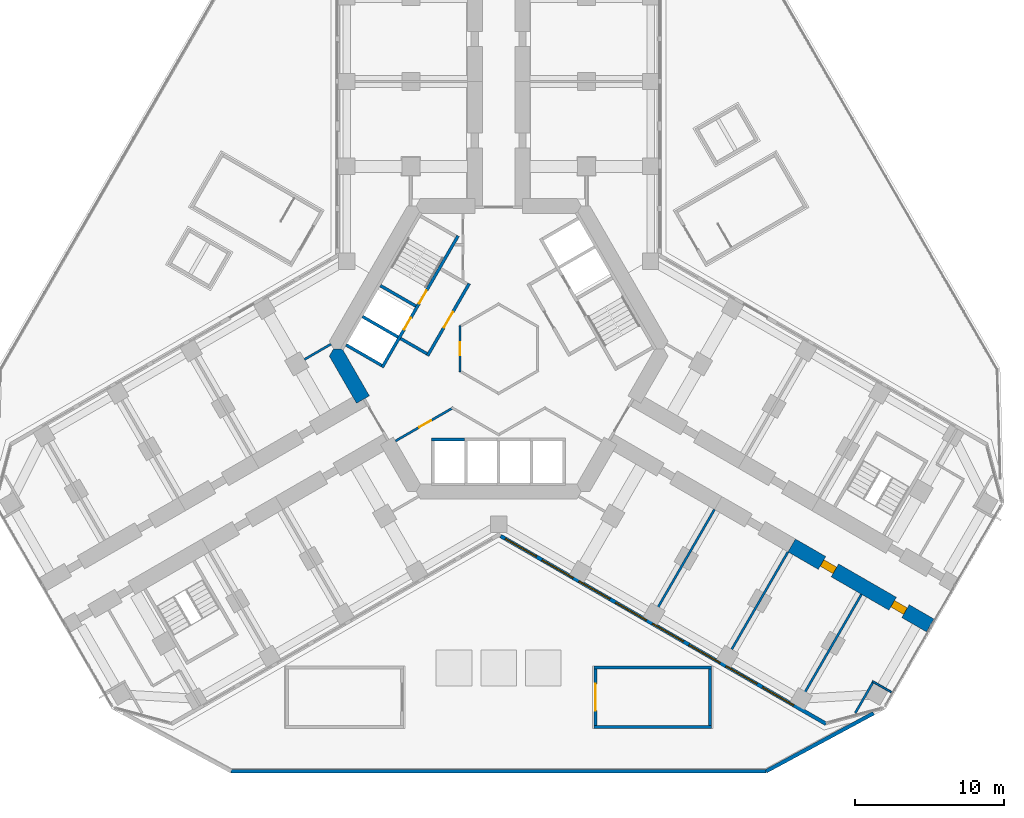
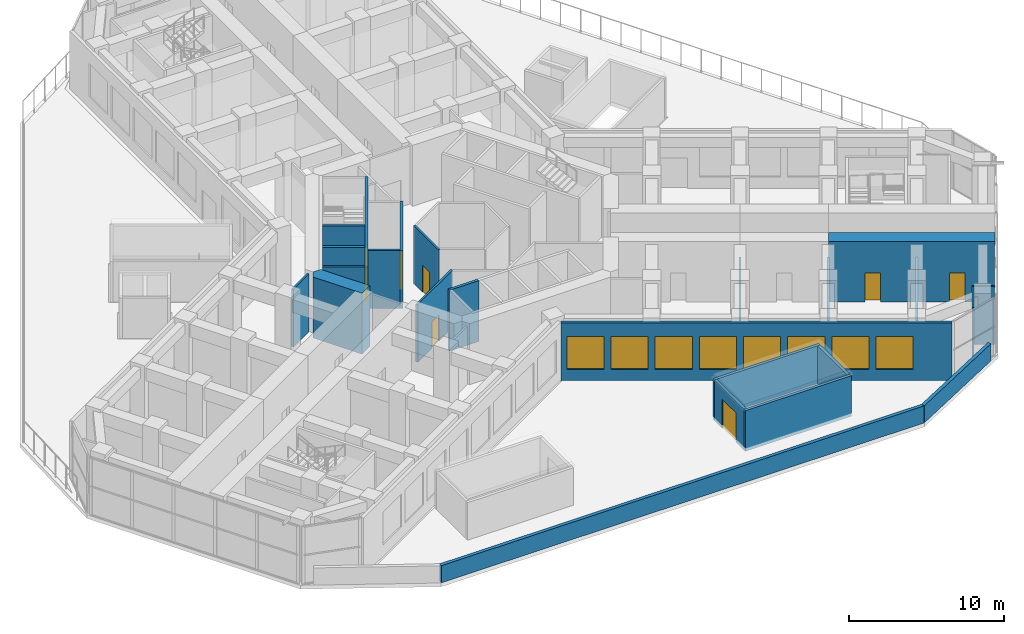
# One storey, part 11 of 18: 24 walls, 8 doors, 8 windows, 16 openings.
"""IFC4 building model written with IfcOpenShell, lengths in metres."""

from ifc_helpers import new_model, si_unit, direction, frame, frame_2d, origin, place, context, subcontext, project, spatial, polyline, rectangle, outline, extrude, material, layer, layer_set, type_object, element, fill, save


model = new_model("IFC4")

# Units and contexts
model_context = context("Model", 3, precision=1e-05, world=origin(), true_north=direction((0.0, 1.0)))
body_context = subcontext(model_context, "Body", "Model", "MODEL_VIEW")
ifc_project = project(units=[si_unit("LENGTHUNIT", "METRE"), si_unit("AREAUNIT", "SQUARE_METRE"), si_unit("VOLUMEUNIT", "CUBIC_METRE"), si_unit("PLANEANGLEUNIT", "RADIAN"), si_unit("MASSUNIT", "GRAM", prefix="KILO")], contexts=[model_context])

# Site, building, storey
site_placement = place(None, origin())
site = spatial("IfcSite", under=ifc_project, at=site_placement, CompositionType="ELEMENT")
building_placement = place(site_placement, origin())
building = spatial("IfcBuilding", under=site, at=building_placement, Name="Kosmar Iwan School Tower", CompositionType="ELEMENT")
storey_placement = place(building_placement, frame((0.0, 0.0, 20.39990234375)))
storey = spatial("IfcBuildingStorey", under=building, at=storey_placement, Name="L04", CompositionType="ELEMENT", Elevation=20.39990234375)

# Wall, opening, door
ifc_material_1 = material(Name="Gypsum board on steel studs, fire-rated", Category="steel")
ifc_layer_1 = layer(ifc_material_1, 0.14990234375)
ifc_layer_set_1 = layer_set([ifc_layer_1], Name="Core room partition 150")
wall_type_1 = type_object("IfcWallType", Name="Core room partition 150", PredefinedType="PARTITIONING", material=ifc_layer_set_1)
wall_1_placement = place(storey_placement, frame((-2.60009765625, -1.576171875, 0.0), z_axis=(0.0, 0.0, 1.0), x_axis=(0.0, 1.0, 0.0)))
wall_1 = element("IfcWall", 1, at=wall_1_placement, inside=storey, type_object=wall_type_1, Name="Core room partition L04-CW6", PredefinedType="PARTITIONING", context=body_context, shape_type="SweptSolid", body=[
    extrude(rectangle(XDim=3.15234375, YDim=0.14990234375, at=frame_2d((1.576171875, 0.0))), origin(), (0.0, 0.0, 1.0), 4.550048828125),
])
opening_1_placement = place(wall_1_placement, frame((1.1259765625, 0.0, 0.0)))
opening_1 = element("IfcOpeningElement", 2, at=opening_1_placement, cuts=wall_1, Name="Opening D14", PredefinedType="OPENING", context=body_context, shape_type="SweptSolid", body=[
    extrude(rectangle(XDim=0.89990234375, YDim=2.10009765625, at=frame_2d((0.449951171875, 1.050048828125))), frame((0.0, 0.0869140625, 0.0), z_axis=(0.0, -1.0, 0.0), x_axis=(1.0, 0.0, 0.0)), (0.0, 0.0, 1.0), 0.173828125),
])
ifc_material_2 = material(Name="Timber fire door in steel frame", Category="steel")
door_type_1 = type_object("IfcDoorType", Name="Core room door 900x2100", OperationType="SINGLE_SWING_LEFT", PredefinedType="DOOR", material=ifc_material_2)
door_1_placement = place(opening_1_placement, origin())
door_1 = element("IfcDoor", 3, at=door_1_placement, inside=storey, type_object=door_type_1, Name="School store door L04 3", OperationType="SINGLE_SWING_RIGHT", OverallHeight=2.10009765625, OverallWidth=0.89990234375, PredefinedType="DOOR", context=body_context, shape_type="SweptSolid", body=[
    extrude(rectangle(XDim=0.89990234375, YDim=2.10009765625, at=frame_2d((0.449951171875, 1.050048828125))), frame((0.0, 0.02490234375, 0.0), z_axis=(0.0, -1.0, 0.0), x_axis=(1.0, 0.0, 0.0)), (0.0, 0.0, 1.0), 0.050048828125),
])
fill(opening_1, door_1)

wall_2_placement = place(storey_placement, frame((-6.930908203125, -6.195556640625, 0.0), z_axis=(0.0, 0.0, 1.0), x_axis=(0.866020192391, 0.500009026289, 0.0)))
wall_2 = element("IfcWall", 4, at=wall_2_placement, inside=storey, type_object=wall_type_1, Name="Core room partition L04-CW10", PredefinedType="PARTITIONING", context=body_context, shape_type="SweptSolid", body=[
    extrude(rectangle(XDim=4.49853515625, YDim=0.14990234375, at=frame_2d((2.249267578125, 0.0))), origin(), (0.0, 0.0, 1.0), 4.550048828125),
])
opening_2_placement = place(wall_2_placement, frame((1.842041015625, 0.0, 0.0)))
opening_2 = element("IfcOpeningElement", 5, at=opening_2_placement, cuts=wall_2, Name="Opening D14", PredefinedType="OPENING", context=body_context, shape_type="SweptSolid", body=[
    extrude(rectangle(XDim=0.89990234375, YDim=2.10009765625, at=frame_2d((0.449951171875, 1.050048828125))), frame((0.0, 0.0869140625, 0.0), z_axis=(0.0, -1.0, 0.0), x_axis=(1.0, 0.0, 0.0)), (0.0, 0.0, 1.0), 0.173828125),
])
door_2_placement = place(opening_2_placement, origin())
door_2 = element("IfcDoor", 6, at=door_2_placement, inside=storey, type_object=door_type_1, Name="Parents' meeting room door L04 4", OperationType="SINGLE_SWING_RIGHT", OverallHeight=2.10009765625, OverallWidth=0.89990234375, PredefinedType="DOOR", context=body_context, shape_type="SweptSolid", body=[
    extrude(rectangle(XDim=0.89990234375, YDim=2.10009765625, at=frame_2d((0.449951171875, 1.050048828125))), frame((0.0, 0.02490234375, 0.0), z_axis=(0.0, -1.0, 0.0), x_axis=(1.0, 0.0, 0.0)), (0.0, 0.0, 1.0), 0.050048828125),
])
fill(opening_2, door_2)

# Wall
ifc_material_3 = material(Name="Concrete C50/60", Category="concrete")
ifc_layer_2 = layer(ifc_material_3, 1.0)
ifc_layer_set_2 = layer_set([ifc_layer_2], Name="Core wall 1000")
wall_type_2 = type_object("IfcWallType", Name="Core wall 1000", PredefinedType="SHEAR", material=ifc_layer_set_2)
wall_3_placement = place(storey_placement, origin())
element("IfcWall", 7, at=wall_3_placement, inside=storey, type_object=wall_type_2, Name="Core wall F210a", PredefinedType="SHEAR", context=body_context, shape_type="SweptSolid", body=[
    extrude(outline(polyline([(-9.546875, -3.664306640625), (-8.680908203125, -3.164306640625), (-10.5078125, 0.0), (-11.085205078125, 0.0), (-11.373779296875, -0.5), (-9.546875, -3.664306640625)])), origin(), (0.0, 0.0, 1.0), 4.800048828125),
])

# Wall, openings, doors
ifc_material_4 = material(Name="Concrete C50/60", Category="concrete")
ifc_layer_3 = layer(ifc_material_4, 1.0)
ifc_layer_set_3 = layer_set([ifc_layer_3], Name="Corridor buttress wall 1000")
wall_type_3 = type_object("IfcWallType", Name="Corridor buttress wall 1000", PredefinedType="SHEAR", material=ifc_layer_set_3)
wall_4_placement = place(storey_placement, frame((19.681396484375, -13.210693359375, 0.0), z_axis=(0.0, 0.0, 1.0), x_axis=(0.866028186671, -0.499995179869, 0.0)))
wall_4 = element("IfcWall", 8, at=wall_4_placement, inside=storey, type_object=wall_type_3, Name="Corridor wall CR bay 3", PredefinedType="SHEAR", context=body_context, shape_type="SweptSolid", body=[
    extrude(rectangle(XDim=10.7451171875, YDim=1.0, at=frame_2d((5.37255859375, 0.0))), origin(), (0.0, 0.0, 1.0), 4.800048828125),
])
opening_3_placement = place(wall_4_placement, frame((2.35009765625, 0.0, 0.0)))
opening_3 = element("IfcOpeningElement", 9, at=opening_3_placement, cuts=wall_4, Name="Opening D4", PredefinedType="OPENING", context=body_context, shape_type="SweptSolid", body=[
    extrude(rectangle(XDim=1.0, YDim=2.300048828125, at=frame_2d((0.5, 1.14990234375))), frame((0.0, 0.511962890625, 0.0), z_axis=(0.0, -1.0, 0.0), x_axis=(1.0, 0.0, 0.0)), (0.0, 0.0, 1.0), 1.02392578125),
])
opening_4_placement = place(wall_4_placement, frame((7.824951171875, 0.0, 0.0)))
opening_4 = element("IfcOpeningElement", 10, at=opening_4_placement, cuts=wall_4, Name="Opening D4", PredefinedType="OPENING", context=body_context, shape_type="SweptSolid", body=[
    extrude(rectangle(XDim=1.0, YDim=2.300048828125, at=frame_2d((0.5, 1.14990234375))), frame((0.0, 0.511962890625, 0.0), z_axis=(0.0, -1.0, 0.0), x_axis=(1.0, 0.0, 0.0)), (0.0, 0.0, 1.0), 1.02392578125),
])
ifc_material_5 = material(Name="Timber fire door with vision panel", Category="wood")
door_type_2 = type_object("IfcDoorType", Name="Classroom door 1000x2300", OperationType="SINGLE_SWING_LEFT", PredefinedType="DOOR", material=ifc_material_5)
door_3_placement = place(opening_3_placement, origin())
door_3 = element("IfcDoor", 11, at=door_3_placement, inside=storey, type_object=door_type_2, Name="Staff room CR door L04-CR3", OperationType="SINGLE_SWING_LEFT", OverallHeight=2.300048828125, OverallWidth=1.0, PredefinedType="DOOR", context=body_context, shape_type="SweptSolid", body=[
    extrude(rectangle(XDim=1.0, YDim=2.300048828125, at=frame_2d((0.5, 1.14990234375))), frame((0.0, 0.25, 0.0), z_axis=(0.0, -1.0, 0.0), x_axis=(1.0, 0.0, 0.0)), (0.0, 0.0, 1.0), 0.5),
])
fill(opening_3, door_3)
door_4_placement = place(opening_4_placement, origin())
door_4 = element("IfcDoor", 12, at=door_4_placement, inside=storey, type_object=door_type_2, Name="Toilets door L04-CR4", OperationType="SINGLE_SWING_RIGHT", OverallHeight=2.300048828125, OverallWidth=1.0, PredefinedType="DOOR", context=body_context, shape_type="SweptSolid", body=[
    extrude(rectangle(XDim=1.0, YDim=2.300048828125, at=frame_2d((0.5, 1.14990234375))), frame((0.0, 0.25, 0.0), z_axis=(0.0, -1.0, 0.0), x_axis=(1.0, 0.0, 0.0)), (0.0, 0.0, 1.0), 0.5),
])
fill(opening_4, door_4)

# Wall
ifc_material_6 = material(Name="Gypsum board on steel studs", Category="steel")
ifc_layer_4 = layer(ifc_material_6, 0.1201171875)
ifc_layer_set_4 = layer_set([ifc_layer_4], Name="Dwelling partition 120")
wall_type_4 = type_object("IfcWallType", Name="Dwelling partition 120", PredefinedType="PARTITIONING", material=ifc_layer_set_4)
wall_5_placement = place(storey_placement, frame((25.09716796875, -22.330322265625, 0.0), z_axis=(0.0, 0.0, 1.0), x_axis=(0.866003374288, -0.500038154266, 0.0)))
element("IfcWall", 13, at=wall_5_placement, inside=storey, type_object=wall_type_4, Name="Partition L04-CR-DL", PredefinedType="PARTITIONING", context=body_context, shape_type="SweptSolid", body=[
    extrude(rectangle(XDim=1.4951171875, YDim=0.1201171875, at=frame_2d((0.74755859375, 0.0))), origin(), (0.0, 0.0, 1.0), 4.550048828125),
])

# Wall, openings, windows
ifc_material_7 = material(Name="Black aluminium rainscreen on insulated framing", Category="aluminium")
ifc_layer_5 = layer(ifc_material_7, 0.25)
ifc_layer_set_5 = layer_set([ifc_layer_5], Name="External wall rainscreen 250")
wall_type_5 = type_object("IfcWallType", Name="External wall rainscreen 250", PredefinedType="SOLIDWALL", material=ifc_layer_set_5)
wall_6_placement = place(storey_placement, frame((0.137939453125, -12.5791015625, 0.0), z_axis=(0.0, 0.0, 1.0), x_axis=(0.866023775649, -0.500002820003, 0.0)))
wall_6 = element("IfcWall", 14, at=wall_6_placement, inside=storey, type_object=wall_type_5, Name="External wall CR L04", PredefinedType="SOLIDWALL", context=body_context, shape_type="SweptSolid", body=[
    extrude(rectangle(XDim=25.226318359375, YDim=0.25, at=frame_2d((12.61328125, 0.0))), origin(), (0.0, 0.0, 1.0), 4.550048828125),
])
opening_5_placement = place(wall_6_placement, frame((0.365966796875, 0.0, 0.89990234375)))
opening_5 = element("IfcOpeningElement", 15, at=opening_5_placement, cuts=wall_6, Name="Opening W2", PredefinedType="OPENING", context=body_context, shape_type="SweptSolid", body=[
    extrude(rectangle(XDim=2.39990234375, YDim=2.60009765625, at=frame_2d((1.199951171875, 1.300048828125))), frame((0.0, 0.136962890625, 0.0), z_axis=(0.0, -1.0, 0.0), x_axis=(1.0, 0.0, 0.0)), (0.0, 0.0, 1.0), 0.27392578125),
])
opening_6_placement = place(wall_6_placement, frame((3.216064453125, 0.0, 0.89990234375)))
opening_6 = element("IfcOpeningElement", 16, at=opening_6_placement, cuts=wall_6, Name="Opening W2", PredefinedType="OPENING", context=body_context, shape_type="SweptSolid", body=[
    extrude(rectangle(XDim=2.39990234375, YDim=2.60009765625, at=frame_2d((1.199951171875, 1.300048828125))), frame((0.0, 0.136962890625, 0.0), z_axis=(0.0, -1.0, 0.0), x_axis=(1.0, 0.0, 0.0)), (0.0, 0.0, 1.0), 0.27392578125),
])
opening_7_placement = place(wall_6_placement, frame((6.06591796875, 0.0, 0.89990234375)))
opening_7 = element("IfcOpeningElement", 17, at=opening_7_placement, cuts=wall_6, Name="Opening W2", PredefinedType="OPENING", context=body_context, shape_type="SweptSolid", body=[
    extrude(rectangle(XDim=2.39990234375, YDim=2.60009765625, at=frame_2d((1.199951171875, 1.300048828125))), frame((0.0, 0.136962890625, 0.0), z_axis=(0.0, -1.0, 0.0), x_axis=(1.0, 0.0, 0.0)), (0.0, 0.0, 1.0), 0.27392578125),
])
opening_8_placement = place(wall_6_placement, frame((8.916015625, 0.0, 0.89990234375)))
opening_8 = element("IfcOpeningElement", 18, at=opening_8_placement, cuts=wall_6, Name="Opening W2", PredefinedType="OPENING", context=body_context, shape_type="SweptSolid", body=[
    extrude(rectangle(XDim=2.39990234375, YDim=2.60009765625, at=frame_2d((1.199951171875, 1.300048828125))), frame((0.0, 0.136962890625, 0.0), z_axis=(0.0, -1.0, 0.0), x_axis=(1.0, 0.0, 0.0)), (0.0, 0.0, 1.0), 0.27392578125),
])
opening_9_placement = place(wall_6_placement, frame((11.76611328125, 0.0, 0.89990234375)))
opening_9 = element("IfcOpeningElement", 19, at=opening_9_placement, cuts=wall_6, Name="Opening W2", PredefinedType="OPENING", context=body_context, shape_type="SweptSolid", body=[
    extrude(rectangle(XDim=2.39990234375, YDim=2.60009765625, at=frame_2d((1.199951171875, 1.300048828125))), frame((0.0, 0.136962890625, 0.0), z_axis=(0.0, -1.0, 0.0), x_axis=(1.0, 0.0, 0.0)), (0.0, 0.0, 1.0), 0.27392578125),
])
opening_10_placement = place(wall_6_placement, frame((14.615966796875, 0.0, 0.89990234375)))
opening_10 = element("IfcOpeningElement", 20, at=opening_10_placement, cuts=wall_6, Name="Opening W2", PredefinedType="OPENING", context=body_context, shape_type="SweptSolid", body=[
    extrude(rectangle(XDim=2.39990234375, YDim=2.60009765625, at=frame_2d((1.199951171875, 1.300048828125))), frame((0.0, 0.136962890625, 0.0), z_axis=(0.0, -1.0, 0.0), x_axis=(1.0, 0.0, 0.0)), (0.0, 0.0, 1.0), 0.27392578125),
])
opening_11_placement = place(wall_6_placement, frame((17.466064453125, 0.0, 0.89990234375)))
opening_11 = element("IfcOpeningElement", 21, at=opening_11_placement, cuts=wall_6, Name="Opening W2", PredefinedType="OPENING", context=body_context, shape_type="SweptSolid", body=[
    extrude(rectangle(XDim=2.39990234375, YDim=2.60009765625, at=frame_2d((1.199951171875, 1.300048828125))), frame((0.0, 0.136962890625, 0.0), z_axis=(0.0, -1.0, 0.0), x_axis=(1.0, 0.0, 0.0)), (0.0, 0.0, 1.0), 0.27392578125),
])
opening_12_placement = place(wall_6_placement, frame((20.31591796875, 0.0, 0.89990234375)))
opening_12 = element("IfcOpeningElement", 22, at=opening_12_placement, cuts=wall_6, Name="Opening W2", PredefinedType="OPENING", context=body_context, shape_type="SweptSolid", body=[
    extrude(rectangle(XDim=2.39990234375, YDim=2.60009765625, at=frame_2d((1.199951171875, 1.300048828125))), frame((0.0, 0.136962890625, 0.0), z_axis=(0.0, -1.0, 0.0), x_axis=(1.0, 0.0, 0.0)), (0.0, 0.0, 1.0), 0.27392578125),
])
ifc_material_8 = material(Name="Black aluminium frame with dark triple glazing", Category="aluminium")
window_type = type_object("IfcWindowType", Name="Window 2400x2600", PartitioningType="SINGLE_PANEL", PredefinedType="WINDOW", material=ifc_material_8)
window_1_placement = place(opening_5_placement, origin())
window_1 = element("IfcWindow", 23, at=window_1_placement, inside=storey, type_object=window_type, Name="Window CR L04 -1", OverallHeight=2.60009765625, OverallWidth=2.39990234375, PartitioningType="SINGLE_PANEL", PredefinedType="WINDOW", context=body_context, shape_type="SweptSolid", body=[
    extrude(rectangle(XDim=2.39990234375, YDim=2.60009765625, at=frame_2d((1.199951171875, 1.300048828125))), frame((0.0, 0.030029296875, 0.0), z_axis=(0.0, -1.0, 0.0), x_axis=(1.0, 0.0, 0.0)), (0.0, 0.0, 1.0), 0.06005859375),
])
fill(opening_5, window_1)
window_2_placement = place(opening_6_placement, origin())
window_2 = element("IfcWindow", 24, at=window_2_placement, inside=storey, type_object=window_type, Name="Window CR L04 0", OverallHeight=2.60009765625, OverallWidth=2.39990234375, PartitioningType="SINGLE_PANEL", PredefinedType="WINDOW", context=body_context, shape_type="SweptSolid", body=[
    extrude(rectangle(XDim=2.39990234375, YDim=2.60009765625, at=frame_2d((1.199951171875, 1.300048828125))), frame((0.0, 0.030029296875, 0.0), z_axis=(0.0, -1.0, 0.0), x_axis=(1.0, 0.0, 0.0)), (0.0, 0.0, 1.0), 0.06005859375),
])
fill(opening_6, window_2)
window_3_placement = place(opening_7_placement, origin())
window_3 = element("IfcWindow", 25, at=window_3_placement, inside=storey, type_object=window_type, Name="Window CR L04 1", OverallHeight=2.60009765625, OverallWidth=2.39990234375, PartitioningType="SINGLE_PANEL", PredefinedType="WINDOW", context=body_context, shape_type="SweptSolid", body=[
    extrude(rectangle(XDim=2.39990234375, YDim=2.60009765625, at=frame_2d((1.199951171875, 1.300048828125))), frame((0.0, 0.030029296875, 0.0), z_axis=(0.0, -1.0, 0.0), x_axis=(1.0, 0.0, 0.0)), (0.0, 0.0, 1.0), 0.06005859375),
])
fill(opening_7, window_3)
window_4_placement = place(opening_8_placement, origin())
window_4 = element("IfcWindow", 26, at=window_4_placement, inside=storey, type_object=window_type, Name="Window CR L04 2", OverallHeight=2.60009765625, OverallWidth=2.39990234375, PartitioningType="SINGLE_PANEL", PredefinedType="WINDOW", context=body_context, shape_type="SweptSolid", body=[
    extrude(rectangle(XDim=2.39990234375, YDim=2.60009765625, at=frame_2d((1.199951171875, 1.300048828125))), frame((0.0, 0.030029296875, 0.0), z_axis=(0.0, -1.0, 0.0), x_axis=(1.0, 0.0, 0.0)), (0.0, 0.0, 1.0), 0.06005859375),
])
fill(opening_8, window_4)
window_5_placement = place(opening_9_placement, origin())
window_5 = element("IfcWindow", 27, at=window_5_placement, inside=storey, type_object=window_type, Name="Window CR L04 3", OverallHeight=2.60009765625, OverallWidth=2.39990234375, PartitioningType="SINGLE_PANEL", PredefinedType="WINDOW", context=body_context, shape_type="SweptSolid", body=[
    extrude(rectangle(XDim=2.39990234375, YDim=2.60009765625, at=frame_2d((1.199951171875, 1.300048828125))), frame((0.0, 0.030029296875, 0.0), z_axis=(0.0, -1.0, 0.0), x_axis=(1.0, 0.0, 0.0)), (0.0, 0.0, 1.0), 0.06005859375),
])
fill(opening_9, window_5)
window_6_placement = place(opening_10_placement, origin())
window_6 = element("IfcWindow", 28, at=window_6_placement, inside=storey, type_object=window_type, Name="Window CR L04 4", OverallHeight=2.60009765625, OverallWidth=2.39990234375, PartitioningType="SINGLE_PANEL", PredefinedType="WINDOW", context=body_context, shape_type="SweptSolid", body=[
    extrude(rectangle(XDim=2.39990234375, YDim=2.60009765625, at=frame_2d((1.199951171875, 1.300048828125))), frame((0.0, 0.030029296875, 0.0), z_axis=(0.0, -1.0, 0.0), x_axis=(1.0, 0.0, 0.0)), (0.0, 0.0, 1.0), 0.06005859375),
])
fill(opening_10, window_6)
window_7_placement = place(opening_11_placement, origin())
window_7 = element("IfcWindow", 29, at=window_7_placement, inside=storey, type_object=window_type, Name="Window CR L04 5", OverallHeight=2.60009765625, OverallWidth=2.39990234375, PartitioningType="SINGLE_PANEL", PredefinedType="WINDOW", context=body_context, shape_type="SweptSolid", body=[
    extrude(rectangle(XDim=2.39990234375, YDim=2.60009765625, at=frame_2d((1.199951171875, 1.300048828125))), frame((0.0, 0.030029296875, 0.0), z_axis=(0.0, -1.0, 0.0), x_axis=(1.0, 0.0, 0.0)), (0.0, 0.0, 1.0), 0.06005859375),
])
fill(opening_11, window_7)
window_8_placement = place(opening_12_placement, origin())
window_8 = element("IfcWindow", 30, at=window_8_placement, inside=storey, type_object=window_type, Name="Window CR L04 6", OverallHeight=2.60009765625, OverallWidth=2.39990234375, PartitioningType="SINGLE_PANEL", PredefinedType="WINDOW", context=body_context, shape_type="SweptSolid", body=[
    extrude(rectangle(XDim=2.39990234375, YDim=2.60009765625, at=frame_2d((1.199951171875, 1.300048828125))), frame((0.0, 0.030029296875, 0.0), z_axis=(0.0, -1.0, 0.0), x_axis=(1.0, 0.0, 0.0)), (0.0, 0.0, 1.0), 0.06005859375),
])
fill(opening_12, window_8)

# Wall, opening, door
ifc_material_9 = material(Name="Concrete block masonry", Category="masonry")
ifc_layer_6 = layer(ifc_material_9, 0.199951171875)
ifc_layer_set_6 = layer_set([ifc_layer_6], Name="Fire lobby wall 200")
wall_type_6 = type_object("IfcWallType", Name="Fire lobby wall 200", PredefinedType="PARTITIONING", material=ifc_layer_set_6)
wall_7_placement = place(storey_placement, frame((-1.9775390625, 4.374755859375, 0.0), z_axis=(0.0, 0.0, 1.0), x_axis=(-0.500016814911, -0.866015695474, 0.0)))
wall_7 = element("IfcWall", 31, at=wall_7_placement, inside=storey, type_object=wall_type_6, Name="Firefighting lobby wall ST2", PredefinedType="PARTITIONING", context=body_context, shape_type="SweptSolid", body=[
    extrude(rectangle(XDim=5.599853515625, YDim=0.199951171875, at=frame_2d((2.7998046875, 0.0))), origin(), (0.0, 0.0, 1.0), 4.550048828125),
])
opening_13_placement = place(wall_7_placement, frame((2.199951171875, 0.0, 0.0)))
opening_13 = element("IfcOpeningElement", 32, at=opening_13_placement, cuts=wall_7, Name="Opening D7", PredefinedType="OPENING", context=body_context, shape_type="SweptSolid", body=[
    extrude(rectangle(XDim=1.199951171875, YDim=2.10009765625, at=frame_2d((0.60009765625, 1.050048828125))), frame((0.0, 0.112060546875, 0.0), z_axis=(0.0, -1.0, 0.0), x_axis=(1.0, 0.0, 0.0)), (0.0, 0.0, 1.0), 0.223876953125),
])
ifc_material_10 = material(Name="Steel fire door", Category="steel")
door_type_3 = type_object("IfcDoorType", Name="Fire lobby door 1200x2100", OperationType="SINGLE_SWING_LEFT", PredefinedType="DOOR", material=ifc_material_10)
door_5_placement = place(opening_13_placement, frame((1.199951171875, 0.0, 0.0), z_axis=(0.0, 0.0, 1.0), x_axis=(-1.0, 0.0, 0.0)))
door_5 = element("IfcDoor", 33, at=door_5_placement, inside=storey, type_object=door_type_3, Name="Firefighting lobby door ST2 L04", OperationType="SINGLE_SWING_RIGHT", OverallHeight=2.10009765625, OverallWidth=1.199951171875, PredefinedType="DOOR", context=body_context, shape_type="SweptSolid", body=[
    extrude(rectangle(XDim=1.199951171875, YDim=2.10009765625, at=frame_2d((0.60009765625, 1.050048828125))), frame((0.0, 0.02490234375, 0.0), z_axis=(0.0, -1.0, 0.0), x_axis=(1.0, 0.0, 0.0)), (0.0, 0.0, 1.0), 0.050048828125),
])
fill(opening_13, door_5)

# Wall
wall_8_placement = place(storey_placement, frame((-4.814208984375, -0.33837890625, 0.0), z_axis=(0.0, 0.0, 1.0), x_axis=(-0.865969381856, 0.500097020274, 0.0)))
element("IfcWall", 34, at=wall_8_placement, inside=storey, type_object=wall_type_6, Name="Firefighting lobby wall ST2", PredefinedType="PARTITIONING", context=body_context, shape_type="SweptSolid", body=[
    extrude(rectangle(XDim=2.0498046875, YDim=0.199951171875, at=frame_2d((1.02490234375, 0.0))), origin(), (0.0, 0.0, 1.0), 4.550048828125),
])

# Wall, openings, doors
ifc_material_11 = material(Name="Concrete C50/60", Category="concrete")
ifc_layer_7 = layer(ifc_material_11, 0.199951171875)
ifc_layer_set_7 = layer_set([ifc_layer_7], Name="Lift shaft wall 200")
wall_type_7 = type_object("IfcWallType", Name="Lift shaft wall 200", PredefinedType="SHEAR", material=ifc_layer_set_7)
wall_9_placement = place(storey_placement, frame((-2.72607421875, 7.578369140625, 0.0), z_axis=(0.0, 0.0, 1.0), x_axis=(-0.500005610874, -0.86602216432, 0.0)))
wall_9 = element("IfcWall", 35, at=wall_9_placement, inside=storey, type_object=wall_type_7, Name="Lift and stair front wall AB", PredefinedType="SHEAR", context=body_context, shape_type="SweptSolid", body=[
    extrude(rectangle(XDim=10.2001953125, YDim=0.199951171875, at=frame_2d((5.10009765625, 0.0))), origin(), (0.0, 0.0, 1.0), 4.800048828125),
])
opening_14_placement = place(wall_9_placement, frame((6.35009765625, 0.0, 0.0)))
opening_14 = element("IfcOpeningElement", 36, at=opening_14_placement, cuts=wall_9, Name="Opening LD2", PredefinedType="OPENING", context=body_context, shape_type="SweptSolid", body=[
    extrude(rectangle(XDim=0.89990234375, YDim=2.10009765625, at=frame_2d((0.449951171875, 1.050048828125))), frame((0.0, 0.112060546875, 0.0), z_axis=(0.0, -1.0, 0.0), x_axis=(1.0, 0.0, 0.0)), (0.0, 0.0, 1.0), 0.223876953125),
])
opening_15_placement = place(wall_9_placement, frame((4.22998046875, 0.0, 0.0)))
opening_15 = element("IfcOpeningElement", 37, at=opening_15_placement, cuts=wall_9, Name="Opening D6", PredefinedType="OPENING", context=body_context, shape_type="SweptSolid", body=[
    extrude(rectangle(XDim=1.0, YDim=2.10009765625, at=frame_2d((0.5, 1.050048828125))), frame((0.0, 0.112060546875, 0.0), z_axis=(0.0, -1.0, 0.0), x_axis=(1.0, 0.0, 0.0)), (0.0, 0.0, 1.0), 0.223876953125),
])
ifc_material_12 = material(Name="Stainless steel sliding lift door", Category="steel")
door_type_4 = type_object("IfcDoorType", Name="Firefighting lift landing door 900x2100", OperationType="SLIDING_TO_LEFT", PredefinedType="DOOR", material=ifc_material_12)
door_6_placement = place(opening_14_placement, origin())
door_6 = element("IfcDoor", 38, at=door_6_placement, inside=storey, type_object=door_type_4, Name="Lift FF2 landing door L04", OperationType="SLIDING_TO_LEFT", OverallHeight=2.10009765625, OverallWidth=0.89990234375, PredefinedType="DOOR", context=body_context, shape_type="SweptSolid", body=[
    extrude(rectangle(XDim=0.89990234375, YDim=2.10009765625, at=frame_2d((0.449951171875, 1.050048828125))), frame((0.0, 0.02490234375, 0.0), z_axis=(0.0, -1.0, 0.0), x_axis=(1.0, 0.0, 0.0)), (0.0, 0.0, 1.0), 0.050048828125),
])
fill(opening_14, door_6)
ifc_material_13 = material(Name="Steel fire door", Category="steel")
door_type_5 = type_object("IfcDoorType", Name="Stair door 1000x2100", OperationType="SINGLE_SWING_LEFT", PredefinedType="DOOR", material=ifc_material_13)
door_7_placement = place(opening_15_placement, origin())
door_7 = element("IfcDoor", 39, at=door_7_placement, inside=storey, type_object=door_type_5, Name="Stair ST2 door L04", OperationType="SINGLE_SWING_LEFT", OverallHeight=2.10009765625, OverallWidth=1.0, PredefinedType="DOOR", context=body_context, shape_type="SweptSolid", body=[
    extrude(rectangle(XDim=1.0, YDim=2.10009765625, at=frame_2d((0.5, 1.050048828125))), frame((0.0, 0.02490234375, 0.0), z_axis=(0.0, -1.0, 0.0), x_axis=(1.0, 0.0, 0.0)), (0.0, 0.0, 1.0), 0.050048828125),
])
fill(opening_15, door_7)

# Walls
for number, where, z_axis, x_axis, name in (
    (40, (-6.7626953125, 0.78662109375, 0.0), (0.0, 0.0, 1.0), (-0.866027397988, 0.499996545922, 0.0), "Lift shaft wall AB 1"),
    (41, (-7.862548828125, -1.118408203125, 0.0), (0.0, 0.0, 1.0), (-0.866027397988, 0.499996545922, 0.0), "Lift shaft wall AB 2"),
):
    element("IfcWall", number, at=place(storey_placement, frame(where, z_axis=z_axis, x_axis=x_axis)), inside=storey, type_object=wall_type_7, Name=name, PredefinedType="SHEAR", context=body_context, shape_type="SweptSolid", body=[
        extrude(rectangle(XDim=2.75, YDim=0.199951171875, at=frame_2d((1.375, 0.0))), origin(), (0.0, 0.0, 1.0), 4.800048828125),
    ])
wall_10_placement = place(storey_placement, frame((-4.5, -6.10009765625, 0.0), z_axis=(0.0, 0.0, 1.0), x_axis=(1.0, 0.0, 0.0)))
element("IfcWall", 42, at=wall_10_placement, inside=storey, type_object=wall_type_7, Name="Lift and stair front wall BC", PredefinedType="SHEAR", context=body_context, shape_type="SweptSolid", body=[
    extrude(rectangle(XDim=2.199951171875, YDim=0.199951171875, at=frame_2d((1.10009765625, 0.0))), origin(), (0.0, 0.0, 1.0), 4.800048828125),
])
ifc_material_14 = material(Name="Concrete C35/45", Category="concrete")
ifc_layer_8 = layer(ifc_material_14, 0.25)
ifc_layer_set_8 = layer_set([ifc_layer_8], Name="Parapet wall 250")
wall_type_8 = type_object("IfcWallType", Name="Parapet wall 250", PredefinedType="PARAPET", material=ifc_layer_set_8)
wall_11_placement = place(storey_placement, frame((25.176025390625, -24.482177734375, 0.0), z_axis=(0.0, 0.0, 1.0), x_axis=(-0.879866517838, -0.475220907355, 0.0)))
element("IfcWall", 43, at=wall_11_placement, inside=storey, type_object=wall_type_8, Name="Atrium roof parapet", PredefinedType="PARAPET", context=body_context, shape_type="SweptSolid", body=[
    extrude(rectangle(XDim=8.191650390625, YDim=0.25, at=frame_2d((4.095703125, 0.0))), origin(), (0.0, 0.0, 1.0), 1.35009765625),
])
wall_12_placement = place(storey_placement, frame((17.968505859375, -28.375, 0.0), z_axis=(0.0, 0.0, 1.0), x_axis=(-1.0, 0.0, 0.0)))
element("IfcWall", 44, at=wall_12_placement, inside=storey, type_object=wall_type_8, Name="Atrium roof parapet", PredefinedType="PARAPET", context=body_context, shape_type="SweptSolid", body=[
    extrude(rectangle(XDim=35.93701171875, YDim=0.25, at=frame_2d((17.968505859375, 0.0))), origin(), (0.0, 0.0, 1.0), 1.35009765625),
])
ifc_material_15 = material(Name="Gypsum board on steel studs", Category="steel")
ifc_layer_9 = layer(ifc_material_15, 0.14990234375)
ifc_layer_set_9 = layer_set([ifc_layer_9], Name="School partition 150")
wall_type_9 = type_object("IfcWallType", Name="School partition 150", PredefinedType="PARTITIONING", material=ifc_layer_set_9)
wall_13_placement = place(storey_placement, frame((-11.263916015625, 0.3095703125, 0.0), z_axis=(0.0, 0.0, 1.0), x_axis=(-0.865999163574, -0.500045446624, 0.0)))
element("IfcWall", 45, at=wall_13_placement, inside=storey, type_object=wall_type_9, Name="Partition L04-BR-NB", PredefinedType="PARTITIONING", context=body_context, shape_type="SweptSolid", body=[
    extrude(rectangle(XDim=2.050048828125, YDim=0.14990234375, at=frame_2d((1.02490234375, 0.0))), origin(), (0.0, 0.0, 1.0), 4.550048828125),
])
wall_14_placement = place(storey_placement, frame((25.192138671875, -22.31591796875, 0.0), z_axis=(0.0, 0.0, 1.0), x_axis=(-0.50000366821, -0.866023285932, 0.0)))
element("IfcWall", 46, at=wall_14_placement, inside=storey, type_object=wall_type_9, Name="Partition L04-CR-DC", PredefinedType="PARTITIONING", context=body_context, shape_type="SweptSolid", body=[
    extrude(rectangle(XDim=2.47998046875, YDim=0.14990234375, at=frame_2d((1.239990234375, 0.0))), origin(), (0.0, 0.0, 1.0), 4.550048828125),
])
wall_15_placement = place(storey_placement, frame((14.4951171875, -10.793701171875, 0.0), z_axis=(0.0, 0.0, 1.0), x_axis=(-0.500007509209, -0.866021068297, 0.0)))
element("IfcWall", 47, at=wall_15_placement, inside=storey, type_object=wall_type_9, Name="Partition L04-CR-X1", PredefinedType="PARTITIONING", context=body_context, shape_type="SweptSolid", body=[
    extrude(rectangle(XDim=8.599853515625, YDim=0.14990234375, at=frame_2d((4.2998046875, 0.0))), origin(), (0.0, 0.0, 1.0), 3.550048828125),
])
wall_16_placement = place(storey_placement, frame((19.431396484375, -13.6435546875, 0.0), z_axis=(0.0, 0.0, 1.0), x_axis=(-0.499973925258, -0.86604045752, 0.0)))
element("IfcWall", 48, at=wall_16_placement, inside=storey, type_object=wall_type_9, Name="Partition L04-CR-X2", PredefinedType="PARTITIONING", context=body_context, shape_type="SweptSolid", body=[
    extrude(rectangle(XDim=8.60009765625, YDim=0.14990234375, at=frame_2d((4.300048828125, 0.0))), origin(), (0.0, 0.0, 1.0), 3.550048828125),
])
wall_17_placement = place(storey_placement, frame((24.367919921875, -16.49365234375, 0.0), z_axis=(0.0, 0.0, 1.0), x_axis=(-0.500007509209, -0.866021068297, 0.0)))
element("IfcWall", 49, at=wall_17_placement, inside=storey, type_object=wall_type_9, Name="Partition L04-CR-X3", PredefinedType="PARTITIONING", context=body_context, shape_type="SweptSolid", body=[
    extrude(rectangle(XDim=8.599853515625, YDim=0.14990234375, at=frame_2d((4.2998046875, 0.0))), origin(), (0.0, 0.0, 1.0), 3.550048828125),
])
ifc_material_16 = material(Name="Concrete C50/60", Category="concrete")
ifc_layer_10 = layer(ifc_material_16, 0.199951171875)
ifc_layer_set_10 = layer_set([ifc_layer_10], Name="Stair enclosure wall 200")
wall_type_10 = type_object("IfcWallType", Name="Stair enclosure wall 200", PredefinedType="SHEAR", material=ifc_layer_set_10)
wall_18_placement = place(storey_placement, frame((-5.562744140625, 2.865234375, 0.0), z_axis=(0.0, 0.0, 1.0), x_axis=(-0.866027397988, 0.499996545922, 0.0)))
element("IfcWall", 50, at=wall_18_placement, inside=storey, type_object=wall_type_10, Name="Stair ST2 wall", PredefinedType="SHEAR", context=body_context, shape_type="SweptSolid", body=[
    extrude(rectangle(XDim=2.75, YDim=0.199951171875, at=frame_2d((1.375, 0.0))), origin(), (0.0, 0.0, 1.0), 4.800048828125),
])
for number, where, z_axis, x_axis, name in (
    (51, (6.39990234375, -21.39990234375, 0.0), (0.0, 0.0, 1.0), (1.0, 0.0, 0.0), "School stair SS2 wall"),
    (52, (6.39990234375, -25.39990234375, 0.0), (0.0, 0.0, 1.0), (1.0, 0.0, 0.0), "School stair SS2 wall"),
):
    element("IfcWall", number, at=place(storey_placement, frame(where, z_axis=z_axis, x_axis=x_axis)), inside=storey, type_object=wall_type_10, Name=name, PredefinedType="SHEAR", context=body_context, shape_type="SweptSolid", body=[
        extrude(rectangle(XDim=7.900146484375, YDim=0.199951171875, at=frame_2d((3.9501953125, 0.0))), origin(), (0.0, 0.0, 1.0), 3.2001953125),
    ])
wall_19_placement = place(storey_placement, frame((14.199951171875, -21.5, 0.0), z_axis=(0.0, 0.0, 1.0), x_axis=(0.0, -1.0, 0.0)))
element("IfcWall", 53, at=wall_19_placement, inside=storey, type_object=wall_type_10, Name="School stair SS2 wall", PredefinedType="SHEAR", context=body_context, shape_type="SweptSolid", body=[
    extrude(rectangle(XDim=3.800048828125, YDim=0.199951171875, at=frame_2d((1.89990234375, 0.0))), origin(), (0.0, 0.0, 1.0), 3.2001953125),
])

# Wall, opening, door
wall_20_placement = place(storey_placement, frame((6.5, -21.5, 0.0), z_axis=(0.0, 0.0, 1.0), x_axis=(0.0, -1.0, 0.0)))
wall_20 = element("IfcWall", 54, at=wall_20_placement, inside=storey, type_object=wall_type_10, Name="School stair SS2 wall", PredefinedType="SHEAR", context=body_context, shape_type="SweptSolid", body=[
    extrude(rectangle(XDim=3.800048828125, YDim=0.199951171875, at=frame_2d((1.89990234375, 0.0))), origin(), (0.0, 0.0, 1.0), 3.2001953125),
])
opening_16_placement = place(wall_20_placement, frame((1.0, 0.0, 0.0)))
opening_16 = element("IfcOpeningElement", 55, at=opening_16_placement, cuts=wall_20, Name="Opening D8", PredefinedType="OPENING", context=body_context, shape_type="SweptSolid", body=[
    extrude(rectangle(XDim=1.800048828125, YDim=2.300048828125, at=frame_2d((0.89990234375, 1.14990234375))), frame((0.0, 0.112060546875, 0.0), z_axis=(0.0, -1.0, 0.0), x_axis=(1.0, 0.0, 0.0)), (0.0, 0.0, 1.0), 0.223876953125),
])
ifc_material_17 = material(Name="Steel fire door", Category="steel")
door_type_6 = type_object("IfcDoorType", Name="School stair door pair 1800x2300", OperationType="DOUBLE_DOOR_SINGLE_SWING", PredefinedType="DOOR", material=ifc_material_17)
door_8_placement = place(opening_16_placement, origin())
door_8 = element("IfcDoor", 56, at=door_8_placement, inside=storey, type_object=door_type_6, Name="School stair SS2 door L04", OperationType="DOUBLE_DOOR_SINGLE_SWING", OverallHeight=2.300048828125, OverallWidth=1.800048828125, PredefinedType="DOOR", context=body_context, shape_type="SweptSolid", body=[
    extrude(rectangle(XDim=1.800048828125, YDim=2.300048828125, at=frame_2d((0.89990234375, 1.14990234375))), frame((0.0, 0.02490234375, 0.0), z_axis=(0.0, -1.0, 0.0), x_axis=(1.0, 0.0, 0.0)), (0.0, 0.0, 1.0), 0.050048828125),
])
fill(opening_16, door_8)

save(model, "model.ifc")
